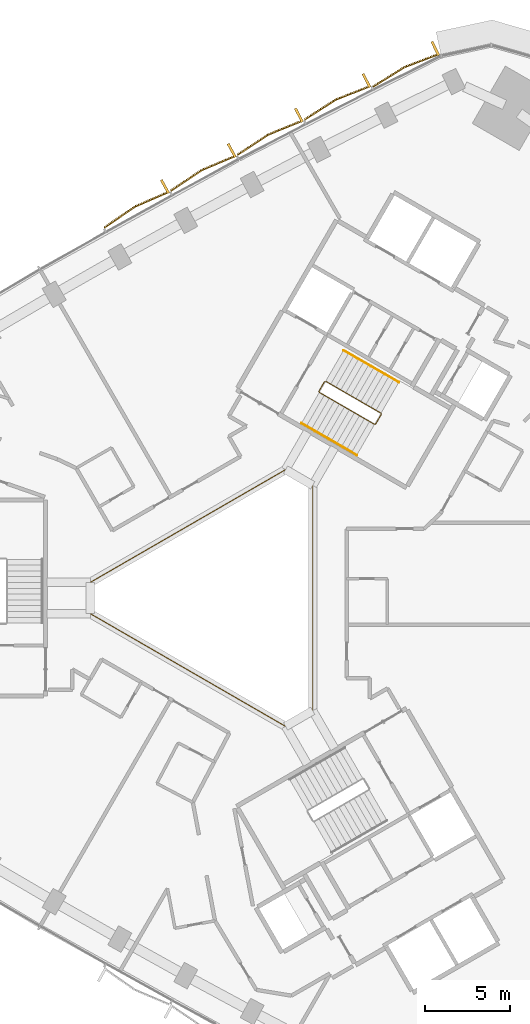
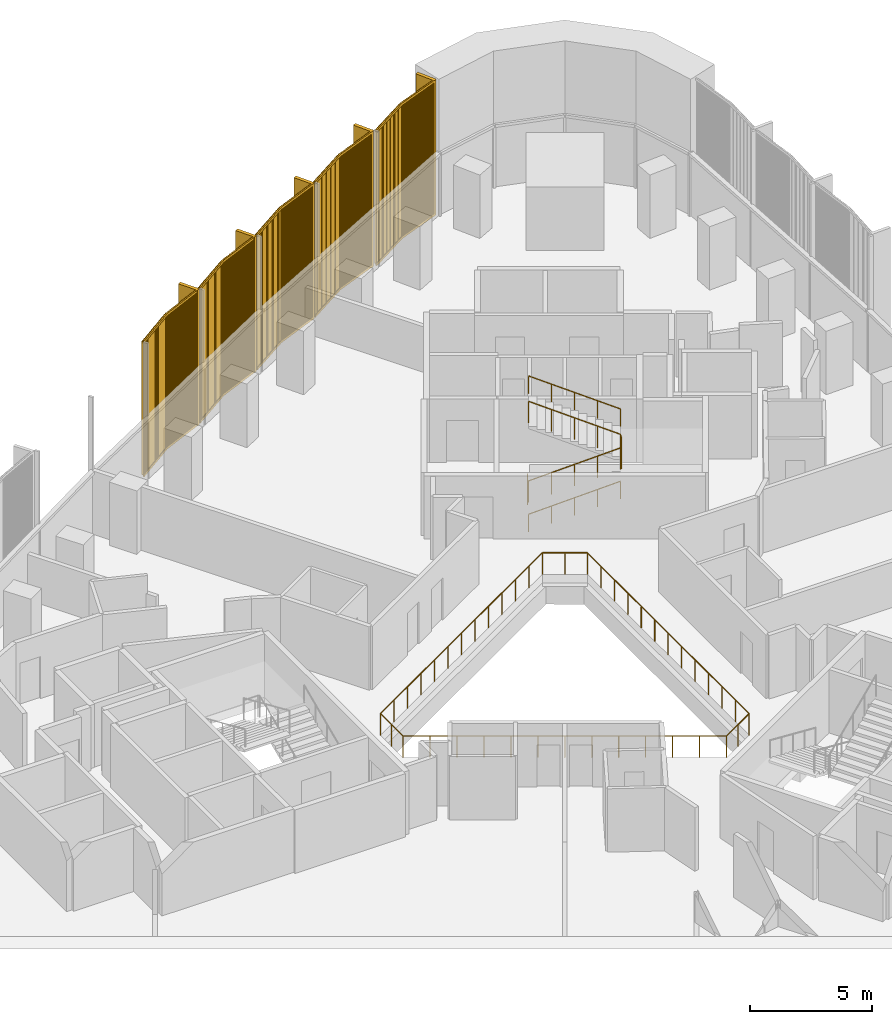
# One storey, part 14 of 15: 5 coverings, 4 railings.
"""IFC4 building model written with IfcOpenShell, lengths in metres."""

import ifcopenshell
import ifcopenshell.guid

model = None  # the IFC model being written
_history = None  # IfcOwnerHistory: only IFC2X3 demands one
_inside = {}  # id of a spatial element -> (the spatial element, [elements in it])
_under = {}  # id of a project, library or spatial element -> (it, [spatial elements below it])
_declared = {}  # id of a project -> (the project, [libraries it declares])
_typed = {}  # id of a type object -> (the type object, [elements of that type])
_made_of = {}  # id of a material, layer set ... -> (it, [elements and type objects made of it])


def new_model(schema):
    """Start an empty IFC model of exactly this schema.

    Asked for "IFC4X3", IfcOpenShell would pick the latest addendum, in which some entities
    have other attributes; the version numbers below select the first issue.
    IFC2X3 requires an IfcOwnerHistory on every rooted entity: one is made here for all.
    """
    global model, _history
    if schema == "IFC4X3":
        model = ifcopenshell.file(schema_version=(4, 3, 0, 0))
    else:
        model = ifcopenshell.file(schema=schema)
    _inside.clear()
    _under.clear()
    _declared.clear()
    _typed.clear()
    _made_of.clear()
    _history = None
    if model.schema == "IFC2X3":
        org = make("IfcOrganization", Name="unknown")
        user = make(
            "IfcPersonAndOrganization",
            ThePerson=make("IfcPerson", FamilyName="unknown"),
            TheOrganization=org,
        )
        app = make(
            "IfcApplication",
            ApplicationDeveloper=org,
            Version="unknown",
            ApplicationFullName="unknown",
            ApplicationIdentifier="unknown",
        )
        _history = make(
            "IfcOwnerHistory",
            OwningUser=user,
            OwningApplication=app,
            ChangeAction="ADDED",
            CreationDate=0,
        )
    return model


def make(cls, **values):
    """One entity of the class cls with the attributes given. An attribute that is None is left unset."""
    return model.create_entity(
        cls, **{name: value for name, value in values.items() if value is not None}
    )


def rooted(cls, **values):
    """An entity with a GlobalId (a new one), such as an element, a storey or a relation."""
    return make(cls, GlobalId=ifcopenshell.guid.new(), OwnerHistory=_history, **values)


def si_unit(unit_type, name, prefix=None):
    """IfcSIUnit, for example si_unit("LENGTHUNIT", "METRE", prefix="MILLI")."""
    return make("IfcSIUnit", UnitType=unit_type, Prefix=prefix, Name=name)


def assignment(units):
    """IfcUnitAssignment: the units of a project."""
    return None if units is None else make("IfcUnitAssignment", Units=units)


def point(xyz):
    """IfcCartesianPoint."""
    return None if xyz is None else make("IfcCartesianPoint", Coordinates=xyz)


def direction(xyz):
    """IfcDirection."""
    return None if xyz is None else make("IfcDirection", DirectionRatios=xyz)


def frame(location, z_axis=None, x_axis=None):
    """IfcAxis2Placement3D, a coordinate frame: its origin and axes. An axis left out is left unset."""
    return make(
        "IfcAxis2Placement3D",
        Location=point(location),
        Axis=direction(z_axis),
        RefDirection=direction(x_axis),
    )


def frame_2d(location, x_axis=None):
    """IfcAxis2Placement2D, a coordinate frame in the plane: its origin and x axis."""
    return make(
        "IfcAxis2Placement2D", Location=point(location), RefDirection=direction(x_axis)
    )


def origin():
    """The frame at (0, 0, 0) with its axes left unset."""
    return frame((0.0, 0.0, 0.0))


def origin_2d():
    """The frame at (0, 0) in the plane with its x axis left unset."""
    return frame_2d((0.0, 0.0))


def place(relative_to, where):
    """IfcLocalPlacement: puts the frame where relative to a parent placement (None: the world)."""
    return make(
        "IfcLocalPlacement", PlacementRelTo=relative_to, RelativePlacement=where
    )


def context(
    kind, dimensions, precision=None, world=None, true_north=None, identifier=None
):
    """IfcGeometricRepresentationContext, for example the 3D "Model" context."""
    return make(
        "IfcGeometricRepresentationContext",
        ContextIdentifier=identifier,
        ContextType=kind,
        CoordinateSpaceDimension=dimensions,
        Precision=precision,
        WorldCoordinateSystem=world,
        TrueNorth=true_north,
    )


def subcontext(parent, identifier, kind, view, scale=None):
    """IfcGeometricRepresentationSubContext, for example "Body" below "Model"."""
    return make(
        "IfcGeometricRepresentationSubContext",
        ContextIdentifier=identifier,
        ContextType=kind,
        ParentContext=parent,
        TargetScale=scale,
        TargetView=view,
    )


def project(units=None, contexts=None):
    """IfcProject with its units and contexts."""
    return rooted(
        "IfcProject",
        Name="project",
        RepresentationContexts=contexts,
        UnitsInContext=assignment(units),
    )


def spatial(cls, under=None, at=None, **own):
    """A site, building, storey or space (cls), placed at a placement, below another one or the project."""
    s = rooted(cls, ObjectPlacement=at, **own)
    if under is not None:
        _under.setdefault(under.id(), (under, []))[1].append(s)
    return s


def profile(cls, at=None, kind="AREA", **sizes):
    """A parametric profile (cls). Its sizes go by their IFC names, for example OverallWidth=200.0."""
    return make(cls, ProfileType=kind, Position=at, **sizes)


def rectangle(**sizes):
    """IfcRectangleProfileDef."""
    return profile("IfcRectangleProfileDef", **sizes)


def circle(**sizes):
    """IfcCircleProfileDef."""
    return profile("IfcCircleProfileDef", **sizes)


def extrude(swept, where, along, depth):
    """IfcExtrudedAreaSolid: the profile swept, set in the frame where, extruded along a direction by depth."""
    return make(
        "IfcExtrudedAreaSolid",
        SweptArea=swept,
        Position=where,
        ExtrudedDirection=direction(along),
        Depth=depth,
    )


def shape(context_of_items, identifier, shape_type, items):
    """IfcShapeRepresentation: the items that make up one representation, for example the "Body"."""
    return make(
        "IfcShapeRepresentation",
        ContextOfItems=context_of_items,
        RepresentationIdentifier=identifier,
        RepresentationType=shape_type,
        Items=items,
    )


def source(mapping_origin, context_of_items, identifier, shape_type, items):
    """IfcRepresentationMap: a shape defined once, which mapped items show again and again."""
    return make(
        "IfcRepresentationMap",
        MappingOrigin=mapping_origin,
        MappedRepresentation=shape(context_of_items, identifier, shape_type, items),
    )


def transform(
    local_origin,
    x_axis=None,
    y_axis=None,
    z_axis=None,
    scale=None,
    scale2=None,
    scale3=None,
    uniform=True,
):
    """IfcCartesianTransformationOperator3D, or its non-uniform kind. x_axis, y_axis, z_axis: its Axis1, 2, 3."""
    if uniform:
        return make(
            "IfcCartesianTransformationOperator3D",
            Axis1=direction(x_axis),
            Axis2=direction(y_axis),
            LocalOrigin=point(local_origin),
            Scale=scale,
            Axis3=direction(z_axis),
        )
    return make(
        "IfcCartesianTransformationOperator3DnonUniform",
        Axis1=direction(x_axis),
        Axis2=direction(y_axis),
        LocalOrigin=point(local_origin),
        Scale=scale,
        Axis3=direction(z_axis),
        Scale2=scale2,
        Scale3=scale3,
    )


def mapped(mapping_source, mapping_target):
    """IfcMappedItem: shows the shape of a source again, moved by a transform."""
    return make(
        "IfcMappedItem", MappingSource=mapping_source, MappingTarget=mapping_target
    )


def material(Name=None, Category=None):
    """IfcMaterial."""
    return make("IfcMaterial", Name=Name, Category=Category)


def made_of(thing, what):
    """Note that an element or type object is made of a material, layer set ...; save() writes the relation."""
    if what is not None:
        _made_of.setdefault(what.id(), (what, []))[1].append(thing)
    return thing


def type_object(cls, material=None, **own):
    """A type object (cls), such as IfcWallType, which elements share."""
    return made_of(rooted(cls, **own), material)


def element(
    cls,
    number,
    at=None,
    inside=None,
    cuts=None,
    type_object=None,
    material=None,
    context=None,
    identifier="Body",
    shape_type=None,
    held_by="IfcProductDefinitionShape",
    body=None,
    shapes=None,
    **own,
):
    """One element of the class cls, such as IfcWall. Its Tag is "e" and its number.

    at: its placement. inside: the storey or other place that contains it. cuts: it is an
    opening in that element (IfcRelVoidsElement). A single representation is given by context,
    identifier, shape_type and body (its items); several are given by shapes. held_by: the class
    of the entity that holds the representations. save() writes the other relations.
    """
    e = rooted(cls, Tag="e%d" % number, ObjectPlacement=at, **own)
    if body is not None:
        shapes = [shape(context, identifier, shape_type, body)]
    if shapes is not None:
        e.Representation = make(held_by, Representations=shapes)
    if inside is not None:
        _inside.setdefault(inside.id(), (inside, []))[1].append(e)
    if cuts is not None:
        rooted(
            "IfcRelVoidsElement", RelatingBuildingElement=cuts, RelatedOpeningElement=e
        )
    if type_object is not None:
        _typed.setdefault(type_object.id(), (type_object, []))[1].append(e)
    return made_of(e, material)


def aggregate(whole, parts):
    """IfcRelAggregates: a whole, such as a stair, and the parts it consists of."""
    return rooted("IfcRelAggregates", RelatingObject=whole, RelatedObjects=parts)


def save(model, path):
    """Write the relations noted so far, then the file.

    IfcRelAggregates (storeys below a building ...), IfcRelContainedInSpatialStructure (elements
    in a storey), IfcRelDefinesByType, IfcRelAssociatesMaterial and IfcRelDeclares: one each for
    every whole, place, type object, material and project.
    """
    for whole, parts in _under.values():
        aggregate(whole, parts)
    for where, things in _inside.values():
        rooted(
            "IfcRelContainedInSpatialStructure",
            RelatedElements=things,
            RelatingStructure=where,
        )
    for kind, things in _typed.values():
        rooted("IfcRelDefinesByType", RelatedObjects=things, RelatingType=kind)
    for what, things in _made_of.values():
        rooted("IfcRelAssociatesMaterial", RelatedObjects=things, RelatingMaterial=what)
    for by, libraries in _declared.values():
        rooted("IfcRelDeclares", RelatingContext=by, RelatedDefinitions=libraries)
    model.write(path)


model = new_model("IFC4")

# Units and contexts
model_context = context("Model", 3, precision=1e-05, world=origin(), true_north=direction((0.0, 1.0)))
body_context = subcontext(model_context, "Body", "Model", "MODEL_VIEW")
ifc_project = project(units=[si_unit("LENGTHUNIT", "METRE"), si_unit("AREAUNIT", "SQUARE_METRE"), si_unit("VOLUMEUNIT", "CUBIC_METRE"), si_unit("PLANEANGLEUNIT", "RADIAN"), si_unit("MASSUNIT", "GRAM", prefix="KILO")], contexts=[model_context])

# Site, building, storey
site_placement = place(None, origin())
site = spatial("IfcSite", under=ifc_project, at=site_placement, CompositionType="ELEMENT")
building_placement = place(site_placement, origin())
building = spatial("IfcBuilding", under=site, at=building_placement, Name="Tamra Quay Hotel Tower", CompositionType="ELEMENT")
storey_placement = place(building_placement, frame((0.0, 0.0, 111.800048828125)))
storey = spatial("IfcBuildingStorey", under=building, at=storey_placement, Name="L27", CompositionType="ELEMENT", Elevation=111.800048828125)

# Railings
ifc_material_1 = material(Name="Guard atrium edge 1100")
railing_type_1 = type_object("IfcRailingType", Name="Guard atrium edge 1100", PredefinedType="GUARDRAIL", material=ifc_material_1)
railing_1_placement = place(storey_placement, frame((4.89990234375, -6.639892578125, 0.0)))
element("IfcRailing", 1, at=railing_1_placement, inside=storey, type_object=railing_type_1, Name="G-A", PredefinedType="GUARDRAIL", context=body_context, shape_type="SweptSolid", body=[
    extrude(circle(Radius=0.02392578125, at=origin_2d()), frame((0.0, 0.0, 1.076171875), z_axis=(-0.866161379324, -0.499764409465, 0.0), x_axis=(0.499764409465, -0.866161379324, 0.0)), (0.0, 0.0, 1.0), 1.84716796875),
    extrude(circle(Radius=0.02392578125, at=origin_2d()), frame((-1.599853515625, -0.923095703125, 1.076171875), z_axis=(-0.866045362687, 0.499965428574, 0.0), x_axis=(-0.499965428574, -0.866045362687, 0.0)), (0.0, 0.0, 1.0), 13.27880859375),
    extrude(circle(Radius=0.02392578125, at=origin_2d()), frame((-13.099853515625, 5.7158203125, 1.076171875), z_axis=(0.0, 1.0, 0.0), x_axis=(-1.0, 0.0, 0.0)), (0.0, 0.0, 1.0), 1.84814453125),
    extrude(circle(Radius=0.02392578125, at=origin_2d()), frame((-13.099853515625, 7.56396484375, 1.076171875), z_axis=(0.866045362687, 0.499965428574, 0.0), x_axis=(-0.499965428574, 0.866045362687, 0.0)), (0.0, 0.0, 1.0), 13.27880859375),
    extrude(circle(Radius=0.02392578125, at=origin_2d()), frame((-1.599853515625, 14.202880859375, 1.076171875), z_axis=(0.866161379324, -0.499764409465, 0.0), x_axis=(0.499764409465, 0.866161379324, 0.0)), (0.0, 0.0, 1.0), 1.84716796875),
    extrude(circle(Radius=0.02392578125, at=origin_2d()), frame((0.0, 13.27978515625, 1.076171875), z_axis=(0.0, -1.0, 0.0), x_axis=(1.0, 0.0, 0.0)), (0.0, 0.0, 1.0), 13.27978515625),
    extrude(circle(Radius=0.02099609375, at=origin_2d()), origin(), (0.0, 0.0, 1.0), 1.052001953125),
    extrude(circle(Radius=0.02099609375, at=origin_2d()), frame((-0.7998046875, -0.46142578125, 0.0)), (0.0, 0.0, 1.0), 1.052001953125),
    extrude(circle(Radius=0.02099609375, at=origin_2d()), frame((-1.599853515625, -0.923095703125, 0.0)), (0.0, 0.0, 1.0), 1.052001953125),
    extrude(circle(Radius=0.02099609375, at=origin_2d()), frame((-2.55810546875, -0.369873046875, 0.0)), (0.0, 0.0, 1.0), 1.052001953125),
    extrude(circle(Radius=0.02099609375, at=origin_2d()), frame((-3.5166015625, 0.183349609375, 0.0)), (0.0, 0.0, 1.0), 1.052001953125),
    extrude(circle(Radius=0.02099609375, at=origin_2d()), frame((-4.474853515625, 0.736572265625, 0.0)), (0.0, 0.0, 1.0), 1.052001953125),
    extrude(circle(Radius=0.02099609375, at=origin_2d()), frame((-5.43310546875, 1.289794921875, 0.0)), (0.0, 0.0, 1.0), 1.052001953125),
    extrude(circle(Radius=0.02099609375, at=origin_2d()), frame((-6.3916015625, 1.843017578125, 0.0)), (0.0, 0.0, 1.0), 1.052001953125),
    extrude(circle(Radius=0.02099609375, at=origin_2d()), frame((-7.349853515625, 2.396484375, 0.0)), (0.0, 0.0, 1.0), 1.052001953125),
    extrude(circle(Radius=0.02099609375, at=origin_2d()), frame((-8.30810546875, 2.94970703125, 0.0)), (0.0, 0.0, 1.0), 1.052001953125),
    extrude(circle(Radius=0.02099609375, at=origin_2d()), frame((-9.2666015625, 3.5029296875, 0.0)), (0.0, 0.0, 1.0), 1.052001953125),
    extrude(circle(Radius=0.02099609375, at=origin_2d()), frame((-10.224853515625, 4.05615234375, 0.0)), (0.0, 0.0, 1.0), 1.052001953125),
    extrude(circle(Radius=0.02099609375, at=origin_2d()), frame((-11.18310546875, 4.609375, 0.0)), (0.0, 0.0, 1.0), 1.052001953125),
    extrude(circle(Radius=0.02099609375, at=origin_2d()), frame((-12.1416015625, 5.16259765625, 0.0)), (0.0, 0.0, 1.0), 1.052001953125),
    extrude(circle(Radius=0.02099609375, at=origin_2d()), frame((-13.099853515625, 5.7158203125, 0.0)), (0.0, 0.0, 1.0), 1.052001953125),
    extrude(circle(Radius=0.02099609375, at=origin_2d()), frame((-13.099853515625, 6.639892578125, 0.0)), (0.0, 0.0, 1.0), 1.052001953125),
    extrude(circle(Radius=0.02099609375, at=origin_2d()), frame((-13.099853515625, 7.56396484375, 0.0)), (0.0, 0.0, 1.0), 1.052001953125),
    extrude(circle(Radius=0.02099609375, at=origin_2d()), frame((-12.1416015625, 8.1171875, 0.0)), (0.0, 0.0, 1.0), 1.052001953125),
    extrude(circle(Radius=0.02099609375, at=origin_2d()), frame((-11.18310546875, 8.67041015625, 0.0)), (0.0, 0.0, 1.0), 1.052001953125),
    extrude(circle(Radius=0.02099609375, at=origin_2d()), frame((-10.224853515625, 9.2236328125, 0.0)), (0.0, 0.0, 1.0), 1.052001953125),
    extrude(circle(Radius=0.02099609375, at=origin_2d()), frame((-9.2666015625, 9.77685546875, 0.0)), (0.0, 0.0, 1.0), 1.052001953125),
    extrude(circle(Radius=0.02099609375, at=origin_2d()), frame((-8.30810546875, 10.330078125, 0.0)), (0.0, 0.0, 1.0), 1.052001953125),
    extrude(circle(Radius=0.02099609375, at=origin_2d()), frame((-7.349853515625, 10.88330078125, 0.0)), (0.0, 0.0, 1.0), 1.052001953125),
    extrude(circle(Radius=0.02099609375, at=origin_2d()), frame((-6.3916015625, 11.436767578125, 0.0)), (0.0, 0.0, 1.0), 1.052001953125),
    extrude(circle(Radius=0.02099609375, at=origin_2d()), frame((-5.43310546875, 11.989990234375, 0.0)), (0.0, 0.0, 1.0), 1.052001953125),
    extrude(circle(Radius=0.02099609375, at=origin_2d()), frame((-4.474853515625, 12.543212890625, 0.0)), (0.0, 0.0, 1.0), 1.052001953125),
    extrude(circle(Radius=0.02099609375, at=origin_2d()), frame((-3.5166015625, 13.096435546875, 0.0)), (0.0, 0.0, 1.0), 1.052001953125),
    extrude(circle(Radius=0.02099609375, at=origin_2d()), frame((-2.55810546875, 13.649658203125, 0.0)), (0.0, 0.0, 1.0), 1.052001953125),
    extrude(circle(Radius=0.02099609375, at=origin_2d()), frame((-1.599853515625, 14.202880859375, 0.0)), (0.0, 0.0, 1.0), 1.052001953125),
    extrude(circle(Radius=0.02099609375, at=origin_2d()), frame((-0.7998046875, 13.7412109375, 0.0)), (0.0, 0.0, 1.0), 1.052001953125),
    extrude(circle(Radius=0.02099609375, at=origin_2d()), frame((0.0, 13.27978515625, 0.0)), (0.0, 0.0, 1.0), 1.052001953125),
    extrude(circle(Radius=0.02099609375, at=origin_2d()), frame((0.0, 12.173095703125, 0.0)), (0.0, 0.0, 1.0), 1.052001953125),
    extrude(circle(Radius=0.02099609375, at=origin_2d()), frame((0.0, 11.06640625, 0.0)), (0.0, 0.0, 1.0), 1.052001953125),
    extrude(circle(Radius=0.02099609375, at=origin_2d()), frame((0.0, 9.9599609375, 0.0)), (0.0, 0.0, 1.0), 1.052001953125),
    extrude(circle(Radius=0.02099609375, at=origin_2d()), frame((0.0, 8.853271484375, 0.0)), (0.0, 0.0, 1.0), 1.052001953125),
    extrude(circle(Radius=0.02099609375, at=origin_2d()), frame((0.0, 7.74658203125, 0.0)), (0.0, 0.0, 1.0), 1.052001953125),
    extrude(circle(Radius=0.02099609375, at=origin_2d()), frame((0.0, 6.639892578125, 0.0)), (0.0, 0.0, 1.0), 1.052001953125),
    extrude(circle(Radius=0.02099609375, at=origin_2d()), frame((0.0, 5.533203125, 0.0)), (0.0, 0.0, 1.0), 1.052001953125),
    extrude(circle(Radius=0.02099609375, at=origin_2d()), frame((0.0, 4.426513671875, 0.0)), (0.0, 0.0, 1.0), 1.052001953125),
    extrude(circle(Radius=0.02099609375, at=origin_2d()), frame((0.0, 3.31982421875, 0.0)), (0.0, 0.0, 1.0), 1.052001953125),
    extrude(circle(Radius=0.02099609375, at=origin_2d()), frame((0.0, 2.21337890625, 0.0)), (0.0, 0.0, 1.0), 1.052001953125),
    extrude(circle(Radius=0.02099609375, at=origin_2d()), frame((0.0, 1.106689453125, 0.0)), (0.0, 0.0, 1.0), 1.052001953125),
])
ifc_material_2 = material(Name="Stair guard 1100")
railing_type_2 = type_object("IfcRailingType", Name="Stair guard 1100", PredefinedType="GUARDRAIL", material=ifc_material_2)
railing_2_placement = place(storey_placement, frame((5.595458984375, 12.751953125, 0.0)))
element("IfcRailing", 2, at=railing_2_placement, inside=storey, type_object=railing_type_2, Name="GR", PredefinedType="GUARDRAIL", context=body_context, shape_type="SweptSolid", body=[
    extrude(circle(Radius=0.02392578125, at=origin_2d()), frame((0.0, 0.0, 1.076171875), z_axis=(-0.499765215335, -0.866160914346, 0.0), x_axis=(0.866160914346, -0.499765215335, 0.0)), (0.0, 0.0, 1.0), 0.658935546875),
    extrude(circle(Radius=0.02392578125, at=origin_2d()), frame((-0.329345703125, -0.57080078125, 1.076171875), z_axis=(0.110525977783, -0.411156637351, 0.904839338113), x_axis=(0.965715946433, 0.259601060869, 0.0)), (0.0, 0.0, 1.0), 0.165771484375),
    extrude(circle(Radius=0.02392578125, at=origin_2d()), frame((-0.31103515625, -0.638916015625, 1.22607421875), z_axis=(0.79305953016, -0.457922937641, 0.401700342053), x_axis=(0.500040788363, 0.866001853331, 0.0)), (0.0, 0.0, 1.0), 4.10791015625),
    extrude(circle(Radius=0.02392578125, at=origin_2d()), frame((2.94677734375, -2.52001953125, 2.8759765625), z_axis=(0.965948051503, 0.258736085224, 0.0), x_axis=(-0.258736085224, 0.965948051503, 0.0)), (0.0, 0.0, 1.0), 0.07080078125),
    extrude(circle(Radius=0.02392578125, at=origin_2d()), frame((3.01513671875, -2.501708984375, 2.8759765625), z_axis=(0.500043078269, 0.866000531106, 0.0), x_axis=(-0.866000531106, 0.500043078269, 0.0)), (0.0, 0.0, 1.0), 0.6591796875),
    extrude(circle(Radius=0.02392578125, at=origin_2d()), frame((3.3447265625, -1.930908203125, 2.8759765625), z_axis=(-0.110525977783, 0.411156637351, 0.904839338113), x_axis=(-0.965715946433, -0.259601060869, 0.0)), (0.0, 0.0, 1.0), 0.165771484375),
    extrude(circle(Radius=0.02392578125, at=origin_2d()), frame((3.326416015625, -1.86279296875, 3.02587890625), z_axis=(-0.793100512587, 0.457912285461, 0.401631567183), x_axis=(-0.500012686397, -0.866018079166, 0.0)), (0.0, 0.0, 1.0), 4.10791015625),
    extrude(circle(Radius=0.02099609375, at=origin_2d()), origin(), (0.0, 0.0, 1.0), 1.052001953125),
    extrude(circle(Radius=0.02099609375, at=origin_2d()), frame((-0.329345703125, -0.57080078125, 0.0)), (0.0, 0.0, 1.0), 1.052001953125),
    extrude(circle(Radius=0.02099609375, at=origin_2d()), frame((-0.31103515625, -0.638916015625, 0.14990234375)), (0.0, 0.0, 1.0), 1.052001953125),
    extrude(circle(Radius=0.02099609375, at=origin_2d()), frame((0.50341796875, -1.109130859375, 0.5625)), (0.0, 0.0, 1.0), 1.052001953125),
    extrude(circle(Radius=0.02099609375, at=origin_2d()), frame((1.31787109375, -1.57958984375, 0.97509765625)), (0.0, 0.0, 1.0), 1.052001953125),
    extrude(circle(Radius=0.02099609375, at=origin_2d()), frame((2.13232421875, -2.0498046875, 1.387451171875)), (0.0, 0.0, 1.0), 1.052001953125),
    extrude(circle(Radius=0.02099609375, at=origin_2d()), frame((2.94677734375, -2.52001953125, 1.800048828125)), (0.0, 0.0, 1.0), 1.052001953125),
    extrude(circle(Radius=0.02099609375, at=origin_2d()), frame((3.01513671875, -2.501708984375, 1.800048828125)), (0.0, 0.0, 1.0), 1.052001953125),
    extrude(circle(Radius=0.02099609375, at=origin_2d()), frame((3.3447265625, -1.930908203125, 1.800048828125)), (0.0, 0.0, 1.0), 1.052001953125),
    extrude(circle(Radius=0.02099609375, at=origin_2d()), frame((3.326416015625, -1.86279296875, 1.949951171875)), (0.0, 0.0, 1.0), 1.052001953125),
    extrude(circle(Radius=0.02099609375, at=origin_2d()), frame((2.511962890625, -1.392578125, 2.3623046875)), (0.0, 0.0, 1.0), 1.052001953125),
    extrude(circle(Radius=0.02099609375, at=origin_2d()), frame((1.697265625, -0.92236328125, 2.77490234375)), (0.0, 0.0, 1.0), 1.052001953125),
    extrude(circle(Radius=0.02099609375, at=origin_2d()), frame((0.8828125, -0.451904296875, 3.1875)), (0.0, 0.0, 1.0), 1.052001953125),
    extrude(circle(Radius=0.02099609375, at=origin_2d()), frame((0.068359375, 0.018310546875, 3.599853515625)), (0.0, 0.0, 1.0), 1.052001953125),
])
ifc_material_3 = material(Name="Stair handrail 900")
railing_type_3 = type_object("IfcRailingType", Name="Stair handrail 900", PredefinedType="HANDRAIL", material=ifc_material_3)
railing_3_placement = place(storey_placement, frame((4.234375, 10.294189453125, 0.14990234375)))
element("IfcRailing", 3, at=railing_3_placement, inside=storey, type_object=railing_type_3, Name="HR", PredefinedType="HANDRAIL", context=body_context, shape_type="SweptSolid", body=[
    extrude(circle(Radius=0.02392578125, at=origin_2d()), frame((0.0, 0.0, 0.8759765625), z_axis=(0.793103162556, -0.457854384738, 0.401692339881), x_axis=(0.499964013922, 0.86604617936, 0.0)), (0.0, 0.0, 1.0), 4.10791015625),
    extrude(circle(Radius=0.02099609375, at=origin_2d()), origin(), (0.0, 0.0, 1.0), 0.851806640625),
    extrude(circle(Radius=0.02099609375, at=origin_2d()), frame((0.814453125, -0.47021484375, 0.41259765625)), (0.0, 0.0, 1.0), 0.851806640625),
    extrude(circle(Radius=0.02099609375, at=origin_2d()), frame((1.62890625, -0.9404296875, 0.8251953125)), (0.0, 0.0, 1.0), 0.851806640625),
    extrude(circle(Radius=0.02099609375, at=origin_2d()), frame((2.443603515625, -1.41064453125, 1.237548828125)), (0.0, 0.0, 1.0), 0.851806640625),
    extrude(circle(Radius=0.02099609375, at=origin_2d()), frame((3.258056640625, -1.880859375, 1.650146484375)), (0.0, 0.0, 1.0), 0.851806640625),
])
railing_4_placement = place(storey_placement, frame((9.971923828125, 12.7080078125, 1.949951171875)))
element("IfcRailing", 4, at=railing_4_placement, inside=storey, type_object=railing_type_3, Name="HR", PredefinedType="HANDRAIL", context=body_context, shape_type="SweptSolid", body=[
    extrude(circle(Radius=0.02392578125, at=origin_2d()), frame((0.0, 0.0, 0.8759765625), z_axis=(-0.793122095483, 0.45786531462, 0.401642496911), x_axis=(-0.499964013922, -0.86604617936, 0.0)), (0.0, 0.0, 1.0), 4.10791015625),
    extrude(circle(Radius=0.02099609375, at=origin_2d()), origin(), (0.0, 0.0, 1.0), 0.851806640625),
    extrude(circle(Radius=0.02099609375, at=origin_2d()), frame((-0.814453125, 0.47021484375, 0.41259765625)), (0.0, 0.0, 1.0), 0.851806640625),
    extrude(circle(Radius=0.02099609375, at=origin_2d()), frame((-1.62890625, 0.9404296875, 0.824951171875)), (0.0, 0.0, 1.0), 0.851806640625),
    extrude(circle(Radius=0.02099609375, at=origin_2d()), frame((-2.443603515625, 1.41064453125, 1.2373046875)), (0.0, 0.0, 1.0), 0.851806640625),
    extrude(circle(Radius=0.02099609375, at=origin_2d()), frame((-3.258056640625, 1.880859375, 1.64990234375)), (0.0, 0.0, 1.0), 0.851806640625),
])

# Coverings
ifc_material_4 = material(Name="Terracotta baguette extruded", Category="masonry")
covering_type = type_object("IfcCoveringType", Name="BAGUETTE SCREEN NW-V H6800", PredefinedType="USERDEFINED", material=ifc_material_4)
shared_shape = source(origin(), body_context, "Body", "SweptSolid", [
    extrude(rectangle(XDim=2.20263671875, YDim=0.06005859375, at=frame_2d((1.101318359375, 0.030029296875))), frame((-2.1982421875, -0.0576171875, -0.1201171875), z_axis=(0.0, 0.0, 1.0), x_axis=(0.995396198367, -0.09584575252, 0.0)), (0.0, 0.0, 1.0), 0.1201171875),
    extrude(rectangle(XDim=2.20263671875, YDim=0.06005859375, at=frame_2d((1.101318359375, 0.030029296875))), frame((-2.1982421875, -0.0576171875, -6.800048828125), z_axis=(0.0, 0.0, 1.0), x_axis=(0.995396198367, -0.09584575252, 0.0)), (0.0, 0.0, 1.0), 0.1201171875),
    extrude(rectangle(XDim=0.070068359375, YDim=0.10009765625, at=frame_2d((0.03515625, 0.050048828125))), frame((-2.177734375, -0.1328125, -6.739990234375)), (0.0, 0.0, 1.0), 6.679931640625),
    extrude(rectangle(XDim=0.070068359375, YDim=0.10009765625, at=frame_2d((0.03515625, 0.050048828125))), frame((-2.078125, -0.142333984375, -6.739990234375)), (0.0, 0.0, 1.0), 6.679931640625),
    extrude(rectangle(XDim=0.070068359375, YDim=0.10009765625, at=frame_2d((0.03515625, 0.050048828125))), frame((-1.978271484375, -0.152099609375, -6.739990234375)), (0.0, 0.0, 1.0), 6.679931640625),
    extrude(rectangle(XDim=0.070068359375, YDim=0.10009765625, at=frame_2d((0.03515625, 0.050048828125))), frame((-1.878662109375, -0.16162109375, -6.739990234375)), (0.0, 0.0, 1.0), 6.679931640625),
    extrude(rectangle(XDim=0.070068359375, YDim=0.10009765625, at=frame_2d((0.03515625, 0.050048828125))), frame((-1.779052734375, -0.171142578125, -6.739990234375)), (0.0, 0.0, 1.0), 6.679931640625),
    extrude(rectangle(XDim=0.070068359375, YDim=0.10009765625, at=frame_2d((0.03515625, 0.050048828125))), frame((-1.679443359375, -0.1806640625, -6.739990234375)), (0.0, 0.0, 1.0), 6.679931640625),
    extrude(rectangle(XDim=0.070068359375, YDim=0.10009765625, at=frame_2d((0.03515625, 0.050048828125))), frame((-1.579833984375, -0.1904296875, -6.739990234375)), (0.0, 0.0, 1.0), 6.679931640625),
    extrude(rectangle(XDim=0.070068359375, YDim=0.10009765625, at=frame_2d((0.03515625, 0.050048828125))), frame((-1.47998046875, -0.199951171875, -6.739990234375)), (0.0, 0.0, 1.0), 6.679931640625),
    extrude(rectangle(XDim=0.070068359375, YDim=0.10009765625, at=frame_2d((0.03515625, 0.050048828125))), frame((-1.38037109375, -0.20947265625, -6.739990234375)), (0.0, 0.0, 1.0), 6.679931640625),
    extrude(rectangle(XDim=0.070068359375, YDim=0.10009765625, at=frame_2d((0.03515625, 0.050048828125))), frame((-1.28076171875, -0.21923828125, -6.739990234375)), (0.0, 0.0, 1.0), 6.679931640625),
    extrude(rectangle(XDim=0.070068359375, YDim=0.10009765625, at=frame_2d((0.03515625, 0.050048828125))), frame((-1.18115234375, -0.228759765625, -6.739990234375)), (0.0, 0.0, 1.0), 6.679931640625),
    extrude(rectangle(XDim=0.070068359375, YDim=0.10009765625, at=frame_2d((0.03515625, 0.050048828125))), frame((-1.081298828125, -0.23828125, -6.739990234375)), (0.0, 0.0, 1.0), 6.679931640625),
    extrude(rectangle(XDim=0.070068359375, YDim=0.10009765625, at=frame_2d((0.03515625, 0.050048828125))), frame((-0.981689453125, -0.248046875, -6.739990234375)), (0.0, 0.0, 1.0), 6.679931640625),
    extrude(rectangle(XDim=0.070068359375, YDim=0.10009765625, at=frame_2d((0.03515625, 0.050048828125))), frame((-0.882080078125, -0.257568359375, -6.739990234375)), (0.0, 0.0, 1.0), 6.679931640625),
    extrude(rectangle(XDim=0.070068359375, YDim=0.10009765625, at=frame_2d((0.03515625, 0.050048828125))), frame((-0.782470703125, -0.26708984375, -6.739990234375)), (0.0, 0.0, 1.0), 6.679931640625),
    extrude(rectangle(XDim=0.070068359375, YDim=0.10009765625, at=frame_2d((0.03515625, 0.050048828125))), frame((-0.682861328125, -0.27685546875, -6.739990234375)), (0.0, 0.0, 1.0), 6.679931640625),
    extrude(rectangle(XDim=0.070068359375, YDim=0.10009765625, at=frame_2d((0.03515625, 0.050048828125))), frame((-0.583251953125, -0.286376953125, -6.739990234375)), (0.0, 0.0, 1.0), 6.679931640625),
    extrude(rectangle(XDim=0.070068359375, YDim=0.10009765625, at=frame_2d((0.03515625, 0.050048828125))), frame((-0.4833984375, -0.2958984375, -6.739990234375)), (0.0, 0.0, 1.0), 6.679931640625),
    extrude(rectangle(XDim=0.070068359375, YDim=0.10009765625, at=frame_2d((0.03515625, 0.050048828125))), frame((-0.3837890625, -0.305419921875, -6.739990234375)), (0.0, 0.0, 1.0), 6.679931640625),
    extrude(rectangle(XDim=0.070068359375, YDim=0.10009765625, at=frame_2d((0.03515625, 0.050048828125))), frame((-0.2841796875, -0.315185546875, -6.739990234375)), (0.0, 0.0, 1.0), 6.679931640625),
    extrude(rectangle(XDim=0.070068359375, YDim=0.10009765625, at=frame_2d((0.03515625, 0.050048828125))), frame((-0.1845703125, -0.32470703125, -6.739990234375)), (0.0, 0.0, 1.0), 6.679931640625),
    extrude(rectangle(XDim=0.070068359375, YDim=0.10009765625, at=frame_2d((0.03515625, 0.050048828125))), frame((-0.084716796875, -0.334228515625, -6.739990234375)), (0.0, 0.0, 1.0), 6.679931640625),
    extrude(rectangle(XDim=2.20263671875, YDim=0.06005859375, at=frame_2d((1.101318359375, 0.030029296875))), frame((0.005859375, -0.268798828125, -0.1201171875), z_axis=(0.0, 0.0, 1.0), x_axis=(0.995396198367, 0.09584575252, 0.0)), (0.0, 0.0, 1.0), 0.1201171875),
    extrude(rectangle(XDim=2.20263671875, YDim=0.06005859375, at=frame_2d((1.101318359375, 0.030029296875))), frame((0.005859375, -0.268798828125, -6.800048828125), z_axis=(0.0, 0.0, 1.0), x_axis=(0.995396198367, 0.09584575252, 0.0)), (0.0, 0.0, 1.0), 0.1201171875),
    extrude(rectangle(XDim=0.070068359375, YDim=0.10009765625, at=frame_2d((0.03515625, 0.050048828125))), frame((0.014892578125, -0.334228515625, -6.739990234375)), (0.0, 0.0, 1.0), 6.679931640625),
    extrude(rectangle(XDim=0.070068359375, YDim=0.10009765625, at=frame_2d((0.03515625, 0.050048828125))), frame((0.114501953125, -0.32470703125, -6.739990234375)), (0.0, 0.0, 1.0), 6.679931640625),
    extrude(rectangle(XDim=0.070068359375, YDim=0.10009765625, at=frame_2d((0.03515625, 0.050048828125))), frame((0.214111328125, -0.315185546875, -6.739990234375)), (0.0, 0.0, 1.0), 6.679931640625),
    extrude(rectangle(XDim=0.070068359375, YDim=0.10009765625, at=frame_2d((0.03515625, 0.050048828125))), frame((0.313720703125, -0.305419921875, -6.739990234375)), (0.0, 0.0, 1.0), 6.679931640625),
    extrude(rectangle(XDim=0.070068359375, YDim=0.10009765625, at=frame_2d((0.03515625, 0.050048828125))), frame((0.41357421875, -0.2958984375, -6.739990234375)), (0.0, 0.0, 1.0), 6.679931640625),
    extrude(rectangle(XDim=0.070068359375, YDim=0.10009765625, at=frame_2d((0.03515625, 0.050048828125))), frame((0.51318359375, -0.286376953125, -6.739990234375)), (0.0, 0.0, 1.0), 6.679931640625),
    extrude(rectangle(XDim=0.070068359375, YDim=0.10009765625, at=frame_2d((0.03515625, 0.050048828125))), frame((0.61279296875, -0.27685546875, -6.739990234375)), (0.0, 0.0, 1.0), 6.679931640625),
    extrude(rectangle(XDim=0.070068359375, YDim=0.10009765625, at=frame_2d((0.03515625, 0.050048828125))), frame((0.71240234375, -0.26708984375, -6.739990234375)), (0.0, 0.0, 1.0), 6.679931640625),
    extrude(rectangle(XDim=0.070068359375, YDim=0.10009765625, at=frame_2d((0.03515625, 0.050048828125))), frame((0.81201171875, -0.257568359375, -6.739990234375)), (0.0, 0.0, 1.0), 6.679931640625),
    extrude(rectangle(XDim=0.070068359375, YDim=0.10009765625, at=frame_2d((0.03515625, 0.050048828125))), frame((0.911865234375, -0.248046875, -6.739990234375)), (0.0, 0.0, 1.0), 6.679931640625),
    extrude(rectangle(XDim=0.070068359375, YDim=0.10009765625, at=frame_2d((0.03515625, 0.050048828125))), frame((1.011474609375, -0.23828125, -6.739990234375)), (0.0, 0.0, 1.0), 6.679931640625),
    extrude(rectangle(XDim=0.070068359375, YDim=0.10009765625, at=frame_2d((0.03515625, 0.050048828125))), frame((1.111083984375, -0.228759765625, -6.739990234375)), (0.0, 0.0, 1.0), 6.679931640625),
    extrude(rectangle(XDim=0.070068359375, YDim=0.10009765625, at=frame_2d((0.03515625, 0.050048828125))), frame((1.210693359375, -0.21923828125, -6.739990234375)), (0.0, 0.0, 1.0), 6.679931640625),
    extrude(rectangle(XDim=0.070068359375, YDim=0.10009765625, at=frame_2d((0.03515625, 0.050048828125))), frame((1.310302734375, -0.20947265625, -6.739990234375)), (0.0, 0.0, 1.0), 6.679931640625),
    extrude(rectangle(XDim=0.070068359375, YDim=0.10009765625, at=frame_2d((0.03515625, 0.050048828125))), frame((1.41015625, -0.199951171875, -6.739990234375)), (0.0, 0.0, 1.0), 6.679931640625),
    extrude(rectangle(XDim=0.070068359375, YDim=0.10009765625, at=frame_2d((0.03515625, 0.050048828125))), frame((1.509765625, -0.1904296875, -6.739990234375)), (0.0, 0.0, 1.0), 6.679931640625),
    extrude(rectangle(XDim=0.070068359375, YDim=0.10009765625, at=frame_2d((0.03515625, 0.050048828125))), frame((1.609375, -0.1806640625, -6.739990234375)), (0.0, 0.0, 1.0), 6.679931640625),
    extrude(rectangle(XDim=0.070068359375, YDim=0.10009765625, at=frame_2d((0.03515625, 0.050048828125))), frame((1.708984375, -0.171142578125, -6.739990234375)), (0.0, 0.0, 1.0), 6.679931640625),
    extrude(rectangle(XDim=0.070068359375, YDim=0.10009765625, at=frame_2d((0.03515625, 0.050048828125))), frame((1.80859375, -0.16162109375, -6.739990234375)), (0.0, 0.0, 1.0), 6.679931640625),
    extrude(rectangle(XDim=0.070068359375, YDim=0.10009765625, at=frame_2d((0.03515625, 0.050048828125))), frame((1.908447265625, -0.152099609375, -6.739990234375)), (0.0, 0.0, 1.0), 6.679931640625),
    extrude(rectangle(XDim=0.070068359375, YDim=0.10009765625, at=frame_2d((0.03515625, 0.050048828125))), frame((2.008056640625, -0.142333984375, -6.739990234375)), (0.0, 0.0, 1.0), 6.679931640625),
    extrude(rectangle(XDim=0.070068359375, YDim=0.10009765625, at=frame_2d((0.03515625, 0.050048828125))), frame((2.107666015625, -0.1328125, -6.739990234375)), (0.0, 0.0, 1.0), 6.679931640625),
    extrude(rectangle(XDim=0.14990234375, YDim=0.902099609375, at=frame_2d((0.074951171875, 0.451171875))), frame((-2.1923828125, -0.89990234375, -6.800048828125)), (0.0, 0.0, 1.0), 6.800048828125),
])
for number, where, z_axis, x_axis, name in (
    (5, (10.421875, 31.03271484375, 6.800048828125), (0.0, 0.0, 1.0), (-0.895658107856, -0.444743244842, 0.0), "Baguette screen L27.NW.f00"),
    (6, (6.38427734375, 29.1220703125, 6.800048828125), (0.0, 0.0, 1.0), (-0.89054445887, -0.454896215391, 0.0), "Baguette screen L27.NW.f01"),
    (7, (2.41845703125, 27.06787109375, 6.800048828125), (0.0, 0.0, 1.0), (-0.885306132294, -0.465008658116, 0.0), "Baguette screen L27.NW.f02"),
    (8, (-1.52392578125, 24.96826171875, 6.800048828125), (0.0, 0.0, 1.0), (-0.879945594555, -0.475074468502, 0.0), "Baguette screen L27.NW.f03"),
    (9, (-5.44189453125, 22.82421875, 6.800048828125), (0.0, 0.0, 1.0), (-0.874465225024, -0.485088208704, 0.0), "Baguette screen L27.NW.f04"),
):
    element("IfcCovering", number, at=place(storey_placement, frame(where, z_axis=z_axis, x_axis=x_axis)), inside=storey, type_object=covering_type, Name=name, ObjectType="BAGUETTE SCREEN", PredefinedType="USERDEFINED", context=body_context, shape_type="MappedRepresentation", body=[
        mapped(shared_shape, transform((0.0, 0.0, 0.0), scale=1.0)),
    ])

save(model, "model.ifc")
